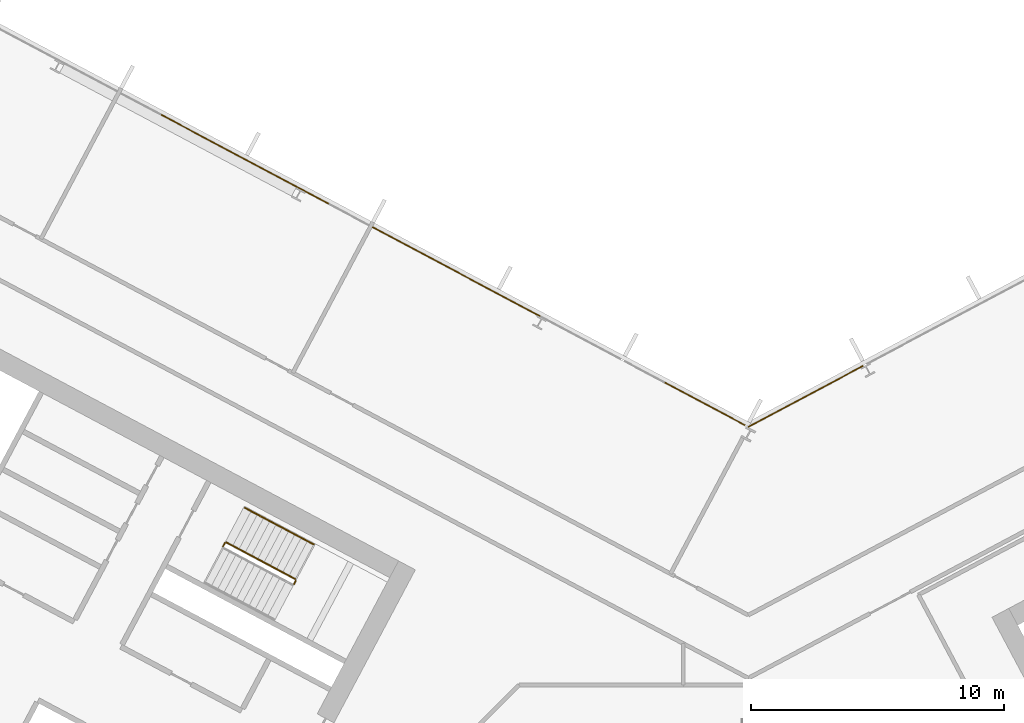
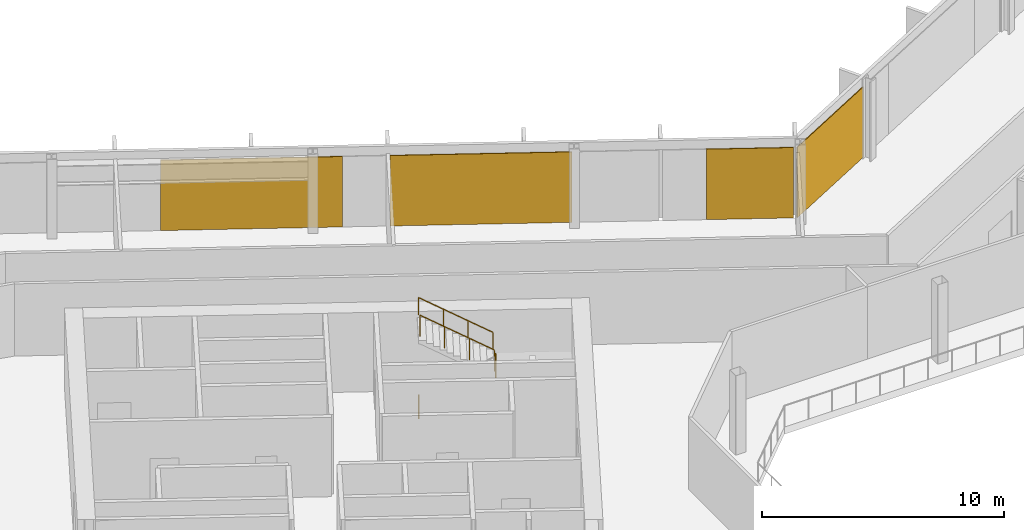
# One storey, part 23 of 28: 4 coverings, 4 railings, 2 elements without a shape of their own.
"""IFC4 building model written with IfcOpenShell, lengths in metres."""

from ifc_helpers import new_model, si_unit, direction, frame, origin, origin_2d, place, context, subcontext, project, spatial, polyline, rectangle, outline, extrude, material, layer, layer_set, type_object, element, aggregate, save


model = new_model("IFC4")

# Units and contexts
model_context = context("Model", 3, precision=1e-05, world=origin(), true_north=direction((0.0, 1.0)))
body_context = subcontext(model_context, "Body", "Model", "MODEL_VIEW")
ifc_project = project(units=[si_unit("LENGTHUNIT", "METRE"), si_unit("AREAUNIT", "SQUARE_METRE"), si_unit("VOLUMEUNIT", "CUBIC_METRE"), si_unit("PLANEANGLEUNIT", "RADIAN"), si_unit("MASSUNIT", "GRAM", prefix="KILO")], contexts=[model_context])

# Site, building, storey
site_placement = place(None, origin())
site = spatial("IfcSite", under=ifc_project, at=site_placement, CompositionType="ELEMENT")
building_placement = place(site_placement, origin())
building = spatial("IfcBuilding", under=site, at=building_placement, Name="Cormorant Relay Tower", CompositionType="ELEMENT")
storey_placement = place(building_placement, frame((0.0, 0.0, 158.199951171875)))
storey = spatial("IfcBuildingStorey", under=building, at=storey_placement, Name="L33", CompositionType="ELEMENT", Elevation=158.199951171875)

# Curtain wall, covering
ifc_material_1 = material(Name="Aluminium 6063-T6 anodised bronze", Category="aluminium")
ifc_layer_1 = layer(ifc_material_1, 0.199951171875)
ifc_layer_set_1 = layer_set([ifc_layer_1], Name="CW1 unitised bronze curtain wall with vertical fins")
curtain_wall_type = type_object("IfcCurtainWallType", Name="CW1 unitised bronze curtain wall with vertical fins", PredefinedType="NOTDEFINED", material=ifc_layer_set_1)
curtain_wall_1_placement = place(storey_placement, origin())
curtain_wall_1 = element("IfcCurtainWall", 1, at=curtain_wall_1_placement, inside=storey, type_object=curtain_wall_type, Name="CW1 curtain wall 8", PredefinedType="NOTDEFINED")
ifc_material_2 = material(Name="Pale bronze anodised aluminium insulated panel", Category="aluminium")
ifc_layer_2 = layer(ifc_material_2, 0.0400390625)
ifc_layer_set_2 = layer_set([ifc_layer_2], Name="CW1 pale bronze insulated panel 40")
covering_type = type_object("IfcCoveringType", Name="CW1 pale bronze insulated panel 40", PredefinedType="CLADDING", material=ifc_layer_set_2)
covering_1_placement = place(storey_placement, frame((2.26611328125, 25.011474609375, 0.0), z_axis=(0.0, 0.0, 1.0), x_axis=(-0.882947592859, -0.469471562786, 0.0)))
covering_1 = element("IfcCovering", 2, at=covering_1_placement, type_object=covering_type, Name="CW1 panel S09", PredefinedType="CLADDING", context=body_context, shape_type="SweptSolid", body=[
    extrude(rectangle(XDim=5.154296875, YDim=0.0400390625, at=origin_2d()), origin(), (0.0, 0.0, 1.0), 3.550048828125),
])
aggregate(curtain_wall_1, [covering_1])

# Curtain wall, coverings
curtain_wall_2_placement = place(storey_placement, origin())
curtain_wall_2 = element("IfcCurtainWall", 3, at=curtain_wall_2_placement, inside=storey, type_object=curtain_wall_type, Name="CW1 curtain wall 9", PredefinedType="NOTDEFINED")
covering_2_placement = place(storey_placement, frame((-1.718505859375, 24.720458984375, 0.0), z_axis=(0.0, 0.0, 1.0), x_axis=(-0.882947592859, 0.469471562786, 0.0)))
covering_2 = element("IfcCovering", 4, at=covering_2_placement, type_object=covering_type, Name="CW1 panel S00", PredefinedType="CLADDING", context=body_context, shape_type="SweptSolid", body=[
    extrude(rectangle(XDim=3.614013671875, YDim=0.0400390625, at=origin_2d()), origin(), (0.0, 0.0, 1.0), 3.550048828125),
])
covering_3_placement = place(storey_placement, frame((-11.537841796875, 29.94140625, 0.0), z_axis=(0.0, 0.0, 1.0), x_axis=(-0.882947592859, 0.469471562786, 0.0)))
covering_3 = element("IfcCovering", 5, at=covering_3_placement, type_object=covering_type, Name="CW1 panel S03", PredefinedType="CLADDING", context=body_context, shape_type="SweptSolid", body=[
    extrude(rectangle(XDim=7.528076171875, YDim=0.0400390625, at=origin_2d()), origin(), (0.0, 0.0, 1.0), 3.550048828125),
])
covering_4_placement = place(storey_placement, frame((-19.906494140625, 34.39111328125, 0.0), z_axis=(0.0, 0.0, 1.0), x_axis=(-0.882947592859, 0.469471562786, 0.0)))
covering_4 = element("IfcCovering", 6, at=covering_4_placement, type_object=covering_type, Name="CW1 panel S05", PredefinedType="CLADDING", context=body_context, shape_type="SweptSolid", body=[
    extrude(rectangle(XDim=7.528076171875, YDim=0.0400390625, at=origin_2d()), origin(), (0.0, 0.0, 1.0), 3.550048828125),
])
aggregate(curtain_wall_2, [covering_2, covering_3, covering_4])

# Railings
ifc_material_3 = material(Name="Steel ASTM A572 Grade 50 (Fy 345 MPa)", Category="steel")
railing_type_1 = type_object("IfcRailingType", Name="Stair guard 1100", PredefinedType="GUARDRAIL", material=ifc_material_3)
railing_1_placement = place(storey_placement, frame((-17.96337890625, 17.592529296875, 2.0)))
element("IfcRailing", 7, at=railing_1_placement, inside=storey, type_object=railing_type_1, Name="L33 A1 stair guard 2", PredefinedType="GUARDRAIL", context=body_context, shape_type="SweptSolid", body=[
    extrude(outline(polyline([(0.022216796875, 0.00927734375), (0.00927734375, 0.022216796875), (-0.00927734375, 0.022216796875), (-0.022216796875, 0.00927734375), (-0.022216796875, -0.00927734375), (-0.00927734375, -0.022216796875), (0.00927734375, -0.022216796875), (0.022216796875, -0.00927734375), (0.022216796875, 0.00927734375)])), frame((0.0, 0.0, 1.076171875), z_axis=(0.46856034887, 0.8834314911, 0.0), x_axis=(-0.8834314911, 0.46856034887, 0.0)), (0.0, 0.0, 1.0), 0.150146484375),
    extrude(outline(polyline([(0.019287109375, 0.008056640625), (0.008056640625, 0.019287109375), (-0.008056640625, 0.019287109375), (-0.019287109375, 0.008056640625), (-0.019287109375, -0.008056640625), (-0.008056640625, -0.019287109375), (0.008056640625, -0.019287109375), (0.019287109375, -0.008056640625), (0.019287109375, 0.008056640625)])), origin(), (0.0, 0.0, 1.0), 1.052001953125),
    extrude(outline(polyline([(0.019287109375, 0.008056640625), (0.008056640625, 0.019287109375), (-0.008056640625, 0.019287109375), (-0.019287109375, 0.008056640625), (-0.019287109375, -0.008056640625), (-0.008056640625, -0.019287109375), (0.008056640625, -0.019287109375), (0.019287109375, -0.008056640625), (0.019287109375, 0.008056640625)])), frame((0.0703125, 0.132568359375, 0.0)), (0.0, 0.0, 1.0), 1.052001953125),
])
railing_2_placement = place(storey_placement, frame((-17.913818359375, 17.792724609375, 2.166748046875)))
element("IfcRailing", 8, at=railing_2_placement, inside=storey, type_object=railing_type_1, Name="L33 A1 stair guard 3", PredefinedType="GUARDRAIL", context=body_context, shape_type="SweptSolid", body=[
    extrude(outline(polyline([(0.022216796875, 0.00927734375), (0.00927734375, 0.022216796875), (-0.00927734375, 0.022216796875), (-0.022216796875, 0.00927734375), (-0.022216796875, -0.00927734375), (-0.00927734375, -0.022216796875), (0.00927734375, -0.022216796875), (0.022216796875, -0.00927734375), (0.022216796875, 0.00927734375)])), frame((0.0, 0.0, 1.076171875), z_axis=(-0.758734504837, 0.403377838015, 0.511476559549), x_axis=(-0.469427602063, -0.882970965786, 0.0)), (0.0, 0.0, 1.0), 3.584228515625),
    extrude(outline(polyline([(0.019287109375, 0.008056640625), (0.008056640625, 0.019287109375), (-0.008056640625, 0.019287109375), (-0.019287109375, 0.008056640625), (-0.019287109375, -0.008056640625), (-0.008056640625, -0.019287109375), (0.008056640625, -0.019287109375), (0.019287109375, -0.008056640625), (0.019287109375, 0.008056640625)])), origin(), (0.0, 0.0, 1.0), 1.052001953125),
    extrude(outline(polyline([(0.019287109375, 0.008056640625), (0.008056640625, 0.019287109375), (-0.008056640625, 0.019287109375), (-0.019287109375, 0.008056640625), (-0.019287109375, -0.008056640625), (-0.008056640625, -0.019287109375), (0.008056640625, -0.019287109375), (0.019287109375, -0.008056640625), (0.019287109375, 0.008056640625)])), frame((-0.906494140625, 0.48193359375, 0.611083984375)), (0.0, 0.0, 1.0), 1.052001953125),
    extrude(outline(polyline([(0.019287109375, 0.008056640625), (0.008056640625, 0.019287109375), (-0.008056640625, 0.019287109375), (-0.019287109375, 0.008056640625), (-0.019287109375, -0.008056640625), (-0.008056640625, -0.019287109375), (0.008056640625, -0.019287109375), (0.019287109375, -0.008056640625), (0.019287109375, 0.008056640625)])), frame((-1.81298828125, 0.9638671875, 1.22216796875)), (0.0, 0.0, 1.0), 1.052001953125),
    extrude(outline(polyline([(0.019287109375, 0.008056640625), (0.008056640625, 0.019287109375), (-0.008056640625, 0.019287109375), (-0.019287109375, 0.008056640625), (-0.019287109375, -0.008056640625), (-0.008056640625, -0.019287109375), (0.008056640625, -0.019287109375), (0.019287109375, -0.008056640625), (0.019287109375, 0.008056640625)])), frame((-2.719482421875, 1.44580078125, 1.833251953125)), (0.0, 0.0, 1.0), 1.052001953125),
])
railing_3_placement = place(storey_placement, frame((-20.771240234375, 19.08544921875, 0.0)))
element("IfcRailing", 9, at=railing_3_placement, inside=storey, type_object=railing_type_1, Name="L33 A1 stair guard 4", PredefinedType="GUARDRAIL", context=body_context, shape_type="SweptSolid", body=[
    extrude(outline(polyline([(0.022216796875, 0.00927734375), (0.00927734375, 0.022216796875), (-0.00927734375, 0.022216796875), (-0.022216796875, 0.00927734375), (-0.022216796875, -0.00927734375), (-0.00927734375, -0.022216796875), (0.00927734375, -0.022216796875), (0.022216796875, -0.00927734375), (0.022216796875, 0.00927734375)])), frame((0.0, 0.0, 1.076171875), z_axis=(0.469828648786, 0.882757634224, 0.0), x_axis=(-0.882757634224, 0.469828648786, 0.0)), (0.0, 0.0, 1.0), 0.150146484375),
    extrude(outline(polyline([(0.019287109375, 0.008056640625), (0.008056640625, 0.019287109375), (-0.008056640625, 0.019287109375), (-0.019287109375, 0.008056640625), (-0.019287109375, -0.008056640625), (-0.008056640625, -0.019287109375), (0.008056640625, -0.019287109375), (0.019287109375, -0.008056640625), (0.019287109375, 0.008056640625)])), origin(), (0.0, 0.0, 1.0), 1.052001953125),
    extrude(outline(polyline([(0.019287109375, 0.008056640625), (0.008056640625, 0.019287109375), (-0.008056640625, 0.019287109375), (-0.019287109375, 0.008056640625), (-0.019287109375, -0.008056640625), (-0.008056640625, -0.019287109375), (0.008056640625, -0.019287109375), (0.019287109375, -0.008056640625), (0.019287109375, 0.008056640625)])), frame((0.070556640625, 0.132568359375, 0.0)), (0.0, 0.0, 1.0), 1.052001953125),
])
ifc_material_4 = material(Name="Steel ASTM A572 Grade 50 (Fy 345 MPa)", Category="steel")
railing_type_2 = type_object("IfcRailingType", Name="Stair handrail 900", PredefinedType="HANDRAIL", material=ifc_material_4)
railing_4_placement = place(storey_placement, frame((-17.18603515625, 19.1611328125, 2.166748046875)))
element("IfcRailing", 10, at=railing_4_placement, inside=storey, type_object=railing_type_2, Name="L33 A1 stair handrail 2", PredefinedType="HANDRAIL", context=body_context, shape_type="SweptSolid", body=[
    extrude(outline(polyline([(0.022216796875, 0.00927734375), (0.00927734375, 0.022216796875), (-0.00927734375, 0.022216796875), (-0.022216796875, 0.00927734375), (-0.022216796875, -0.00927734375), (-0.00927734375, -0.022216796875), (0.00927734375, -0.022216796875), (0.022216796875, -0.00927734375), (0.022216796875, 0.00927734375)])), frame((0.0, 0.0, 0.8759765625), z_axis=(-0.758713656843, 0.403434867536, 0.511462505542), x_axis=(-0.469489399267, -0.882938108802, 0.0)), (0.0, 0.0, 1.0), 3.584228515625),
    extrude(outline(polyline([(0.019287109375, 0.008056640625), (0.008056640625, 0.019287109375), (-0.008056640625, 0.019287109375), (-0.019287109375, 0.008056640625), (-0.019287109375, -0.008056640625), (-0.008056640625, -0.019287109375), (0.008056640625, -0.019287109375), (0.019287109375, -0.008056640625), (0.019287109375, 0.008056640625)])), origin(), (0.0, 0.0, 1.0), 0.851806640625),
    extrude(outline(polyline([(0.019287109375, 0.008056640625), (0.008056640625, 0.019287109375), (-0.008056640625, 0.019287109375), (-0.019287109375, 0.008056640625), (-0.019287109375, -0.008056640625), (-0.008056640625, -0.019287109375), (0.008056640625, -0.019287109375), (0.019287109375, -0.008056640625), (0.019287109375, 0.008056640625)])), frame((-0.906494140625, 0.48193359375, 0.611083984375)), (0.0, 0.0, 1.0), 0.851806640625),
    extrude(outline(polyline([(0.019287109375, 0.008056640625), (0.008056640625, 0.019287109375), (-0.008056640625, 0.019287109375), (-0.019287109375, 0.008056640625), (-0.019287109375, -0.008056640625), (-0.008056640625, -0.019287109375), (0.008056640625, -0.019287109375), (0.019287109375, -0.008056640625), (0.019287109375, 0.008056640625)])), frame((-1.81298828125, 0.964111328125, 1.22216796875)), (0.0, 0.0, 1.0), 0.851806640625),
    extrude(outline(polyline([(0.019287109375, 0.008056640625), (0.008056640625, 0.019287109375), (-0.008056640625, 0.019287109375), (-0.019287109375, 0.008056640625), (-0.019287109375, -0.008056640625), (-0.008056640625, -0.019287109375), (0.008056640625, -0.019287109375), (0.019287109375, -0.008056640625), (0.019287109375, 0.008056640625)])), frame((-2.719482421875, 1.446044921875, 1.833251953125)), (0.0, 0.0, 1.0), 0.851806640625),
])

save(model, "model.ifc")
